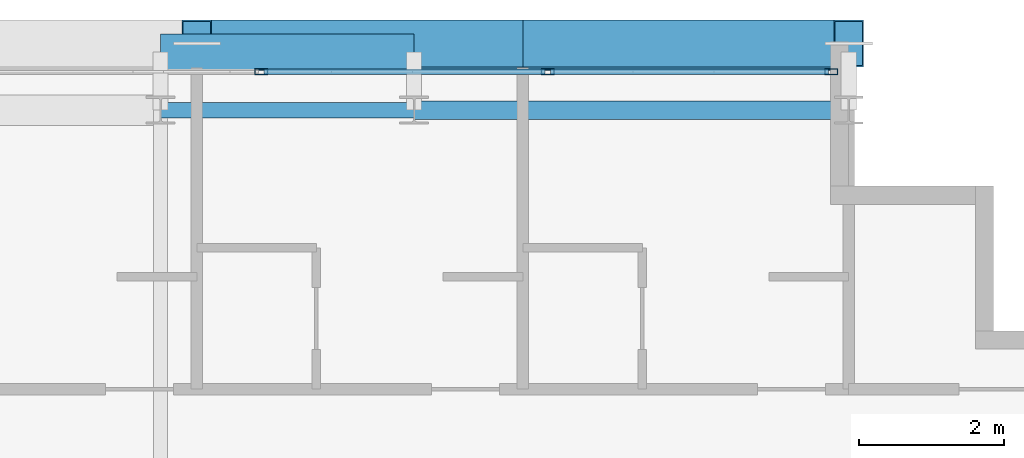
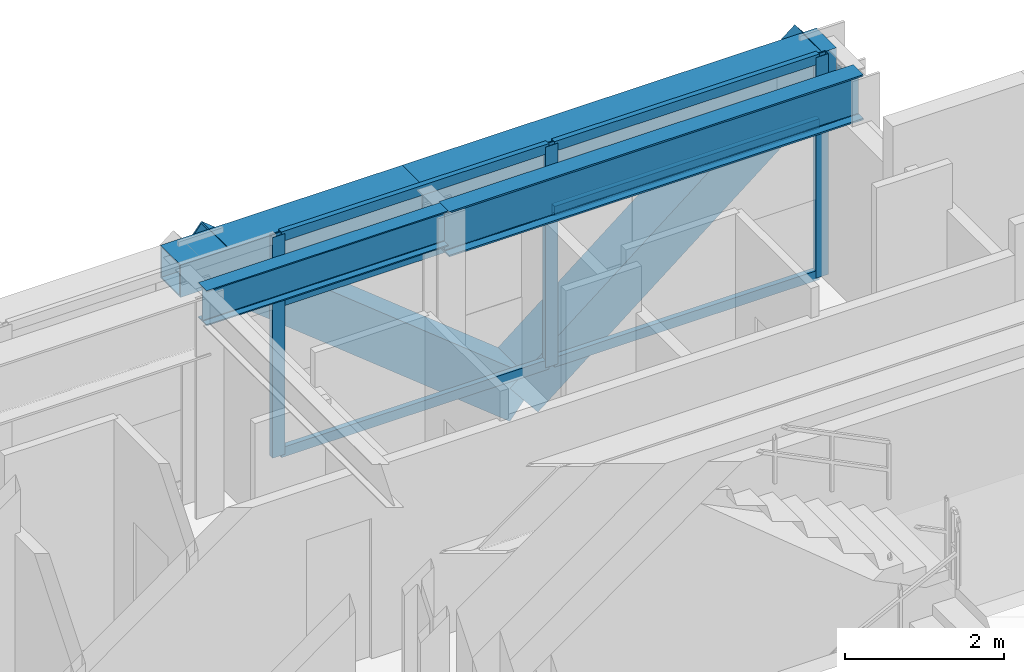
# One storey, part 15 of 28: 11 members, 4 beams, 1 element without a shape of its own.
"""IFC4 building model written with IfcOpenShell, lengths in metres."""

from ifc_helpers import new_model, si_unit, direction, frame, origin, origin_2d, place, context, subcontext, project, spatial, hollow_rectangle, i_section, extrude, source, transform, mapped, material, layer, layer_set, material_profile, profile_set, type_object, element, aggregate, save


model = new_model("IFC4")

# Units and contexts
model_context = context("Model", 3, precision=1e-05, world=origin(), true_north=direction((0.0, 1.0)))
body_context = subcontext(model_context, "Body", "Model", "MODEL_VIEW")
ifc_project = project(units=[si_unit("LENGTHUNIT", "METRE"), si_unit("AREAUNIT", "SQUARE_METRE"), si_unit("VOLUMEUNIT", "CUBIC_METRE"), si_unit("PLANEANGLEUNIT", "RADIAN"), si_unit("MASSUNIT", "GRAM", prefix="KILO")], contexts=[model_context])

# Site, building, storey
site_placement = place(None, origin())
site = spatial("IfcSite", under=ifc_project, at=site_placement, CompositionType="ELEMENT")
building_placement = place(site_placement, origin())
building = spatial("IfcBuilding", under=site, at=building_placement, Name="Ocotamira Hotel", CompositionType="ELEMENT")
storey_placement = place(building_placement, frame((0.0, 0.0, 240.0)))
storey = spatial("IfcBuildingStorey", under=building, at=storey_placement, Name="L60", CompositionType="ELEMENT", Elevation=240.0)

# Beams
ifc_material_1 = material(Name="Steel ASTM A992 Grade 50", Category="steel")
ifc_material_profile_1 = material_profile(ifc_material_1, i_section(OverallWidth=0.256103515625, OverallDepth=0.693115234375, WebThickness=0.014404296875, FlangeThickness=0.023681640625, FilletRadius=0.01611328125, at=origin_2d()), Name="W27X114")
ifc_profile_set_1 = profile_set([ifc_material_profile_1], Name="Steel ASTM A992 Grade 50")
beam_type_1 = type_object("IfcBeamType", Name="BM-PRIM-W27X114", PredefinedType="BEAM", material=ifc_profile_set_1)
shared_shape_1 = source(origin(), body_context, "Body", "SweptSolid", [
    extrude(i_section(OverallWidth=0.256103515625, OverallDepth=0.693115234375, WebThickness=0.014404296875, FlangeThickness=0.023681640625, FilletRadius=0.01611328125, at=origin_2d()), origin(), (0.0, 0.0, 1.0), 6.0),
])
beam_1_placement = place(storey_placement, frame((44.0, 43.050048828125, 3.033447265625), z_axis=(1.0, 0.0, 0.0), x_axis=(0.0, 1.0, 0.0)))
element("IfcBeam", 1, at=beam_1_placement, inside=storey, type_object=beam_type_1, Name="L60 Girder Y43.05 X44-50", PredefinedType="BEAM", context=body_context, shape_type="MappedRepresentation", body=[
    mapped(shared_shape_1, transform((0.0, 0.0, 0.0), scale=1.0)),
])
ifc_material_profile_2 = material_profile(ifc_material_1, i_section(OverallWidth=0.2099609375, OverallDepth=0.537109375, WebThickness=0.010986328125, FlangeThickness=0.017333984375, FilletRadius=0.012939453125, at=origin_2d()), Name="W21X68")
ifc_profile_set_2 = profile_set([ifc_material_profile_2], Name="Steel ASTM A992 Grade 50")
beam_type_2 = type_object("IfcBeamType", Name="BM-SEC-W21X68", PredefinedType="JOIST", material=ifc_profile_set_2)
shared_shape_2 = source(origin(), body_context, "Body", "SweptSolid", [
    extrude(i_section(OverallWidth=0.2099609375, OverallDepth=0.537109375, WebThickness=0.010986328125, FlangeThickness=0.017333984375, FilletRadius=0.012939453125, at=origin_2d()), origin(), (0.0, 0.0, 1.0), 3.5),
])
beam_2_placement = place(storey_placement, frame((40.5, 43.050048828125, 3.111572265625), z_axis=(1.0, 0.0, 0.0), x_axis=(0.0, 1.0, 0.0)))
element("IfcBeam", 2, at=beam_2_placement, inside=storey, type_object=beam_type_2, Name="L60 Girder Y43.05 X40.5-44", PredefinedType="JOIST", context=body_context, shape_type="MappedRepresentation", body=[
    mapped(shared_shape_2, transform((0.0, 0.0, 0.0), scale=1.0)),
])
ifc_material_2 = material(Name="Steel ASTM A500 Grade C", Category="steel")
ifc_material_profile_3 = material_profile(ifc_material_2, hollow_rectangle(XDim=0.5, YDim=0.5, WallThickness=0.02001953125, at=origin_2d()), Name="HSS500X500X20")
ifc_profile_set_3 = profile_set([ifc_material_profile_3], Name="Steel ASTM A500 Grade C")
beam_type_3 = type_object("IfcBeamType", Name="BM-SPAN-HSS500", PredefinedType="USERDEFINED", material=ifc_profile_set_3)
shared_shape_3 = source(origin(), body_context, "Body", "SweptSolid", [
    extrude(hollow_rectangle(XDim=0.5, YDim=0.5, WallThickness=0.02001953125, at=origin_2d()), origin(), (0.0, 0.0, 1.0), 6.0),
])
beam_3_placement = place(storey_placement, frame((44.0, 43.85009765625, 3.1298828125), z_axis=(1.0, 0.0, 0.0), x_axis=(0.0, 1.0, 0.0)))
element("IfcBeam", 3, at=beam_3_placement, inside=storey, type_object=beam_type_3, Name="L60 Edge Spandrel N X44-50", ObjectType="SPANDREL", PredefinedType="USERDEFINED", context=body_context, shape_type="MappedRepresentation", body=[
    mapped(shared_shape_3, transform((0.0, 0.0, 0.0), scale=1.0)),
])
shared_shape_4 = source(origin(), body_context, "Body", "SweptSolid", [
    extrude(hollow_rectangle(XDim=0.5, YDim=0.5, WallThickness=0.02001953125, at=origin_2d()), origin(), (0.0, 0.0, 1.0), 3.5),
])
beam_4_placement = place(storey_placement, frame((40.5, 43.85009765625, 3.1298828125), z_axis=(1.0, 0.0, 0.0), x_axis=(0.0, 1.0, 0.0)))
element("IfcBeam", 4, at=beam_4_placement, inside=storey, type_object=beam_type_3, Name="L60 Edge Spandrel N X40.5-44", ObjectType="SPANDREL", PredefinedType="USERDEFINED", context=body_context, shape_type="MappedRepresentation", body=[
    mapped(shared_shape_4, transform((0.0, 0.0, 0.0), scale=1.0)),
])

# Members
ifc_material_3 = material(Name="Pale-metal coated steel ASTM A913 Grade 65", Category="steel")
ifc_material_profile_4 = material_profile(ifc_material_3, hollow_rectangle(XDim=0.64990234375, YDim=0.64990234375, WallThickness=0.02197265625, at=origin_2d()), Name="BOX650X650X22")
ifc_profile_set_4 = profile_set([ifc_material_profile_4], Name="Pale-metal coated steel ASTM A913 Grade 65")
member_type_1 = type_object("IfcMemberType", Name="MEM-EXO-BOX650", PredefinedType="BRACE", material=ifc_profile_set_4)
shared_shape_5 = source(origin(), body_context, "Body", "SweptSolid", [
    extrude(hollow_rectangle(XDim=0.64990234375, YDim=0.64990234375, WallThickness=0.02197265625, at=origin_2d()), origin(), (0.0, 0.0, 1.0), 5.7626953125),
])
for number, where, z_axis, x_axis, name in (
    (5, (45.5, 43.969970703125, -0.469970703125), (-0.780881208953, 0.0, 0.624679547852), (0.0, -1.0, 0.0), "L60 Exoskeleton Diagrid N3.1"),
    (6, (45.5, 43.969970703125, -0.469970703125), (0.780881208953, 0.0, 0.624679547852), (0.0, 1.0, 0.0), "L60 Exoskeleton Diagrid N3.2"),
):
    element("IfcMember", number, at=place(storey_placement, frame(where, z_axis=z_axis, x_axis=x_axis)), inside=storey, type_object=member_type_1, Name=name, PredefinedType="BRACE", context=body_context, shape_type="MappedRepresentation", body=[
        mapped(shared_shape_5, transform((0.0, 0.0, 0.0), scale=1.0)),
    ])

# Curtain wall, members
ifc_material_4 = material(Name="Anodised pale-metal aluminium and solar glass", Category="aluminium")
ifc_layer = layer(ifc_material_4, 0.239990234375)
ifc_layer_set = layer_set([ifc_layer], Name="Anodised pale-metal aluminium and solar glass")
curtain_wall_type = type_object("IfcCurtainWallType", Name="CW-SYS5-SKY", PredefinedType="NOTDEFINED", material=ifc_layer_set)
curtain_wall_placement = place(storey_placement, origin())
curtain_wall = element("IfcCurtainWall", 7, at=curtain_wall_placement, inside=storey, type_object=curtain_wall_type, Name="L60 Curtain Wall CW-5 CW-L60-N", PredefinedType="NOTDEFINED")
ifc_material_5 = material(Name="Anodised pale-metal aluminium 6063-T6", Category="aluminium")
ifc_material_profile_5 = material_profile(ifc_material_5, hollow_rectangle(XDim=0.074951171875, YDim=0.14990234375, WallThickness=0.006103515625, at=origin_2d()), Name="HSS150X75X6")
ifc_profile_set_5 = profile_set([ifc_material_profile_5], Name="Anodised pale-metal aluminium 6063-T6")
member_type_2 = type_object("IfcMemberType", Name="CWT-150X75", PredefinedType="USERDEFINED", material=ifc_profile_set_5)
shared_shape_6 = source(origin(), body_context, "Body", "SweptSolid", [
    extrude(hollow_rectangle(XDim=0.074951171875, YDim=0.14990234375, WallThickness=0.006103515625, at=origin_2d()), origin(), (0.0, 0.0, 1.0), 3.83544921875),
])
member_1_placement = place(storey_placement, frame((45.884521484375, 43.580078125, 0.03759765625), z_axis=(1.0, 0.0, 0.0), x_axis=(0.0, 1.0, 0.0)))
member_1 = element("IfcMember", 8, at=member_1_placement, type_object=member_type_2, Name="CW-5 transom 9.1", ObjectType="TRANSOM", PredefinedType="USERDEFINED", context=body_context, shape_type="MappedRepresentation", body=[
    mapped(shared_shape_6, transform((0.0, 0.0, 0.0), scale=1.0)),
])
member_2_placement = place(storey_placement, frame((45.884521484375, 43.580078125, 2.35009765625), z_axis=(1.0, 0.0, 0.0), x_axis=(0.0, 1.0, 0.0)))
member_2 = element("IfcMember", 9, at=member_2_placement, type_object=member_type_2, Name="CW-5 transom 9.2", ObjectType="TRANSOM", PredefinedType="USERDEFINED", context=body_context, shape_type="MappedRepresentation", body=[
    mapped(shared_shape_6, transform((0.0, 0.0, 0.0), scale=1.0)),
])
member_3_placement = place(storey_placement, frame((45.884521484375, 43.580078125, 3.342529296875), z_axis=(1.0, 0.0, 0.0), x_axis=(0.0, 1.0, 0.0)))
member_3 = element("IfcMember", 10, at=member_3_placement, type_object=member_type_2, Name="CW-5 transom 9.3", ObjectType="TRANSOM", PredefinedType="USERDEFINED", context=body_context, shape_type="MappedRepresentation", body=[
    mapped(shared_shape_6, transform((0.0, 0.0, 0.0), scale=1.0)),
])
shared_shape_7 = source(origin(), body_context, "Body", "SweptSolid", [
    extrude(hollow_rectangle(XDim=0.074951171875, YDim=0.14990234375, WallThickness=0.006103515625, at=origin_2d()), origin(), (0.0, 0.0, 1.0), 3.87548828125),
])
member_4_placement = place(storey_placement, frame((41.928955078125, 43.580078125, 0.03759765625), z_axis=(1.0, 0.0, 0.0), x_axis=(0.0, 1.0, 0.0)))
member_4 = element("IfcMember", 11, at=member_4_placement, type_object=member_type_2, Name="CW-5 transom 8.1", ObjectType="TRANSOM", PredefinedType="USERDEFINED", context=body_context, shape_type="MappedRepresentation", body=[
    mapped(shared_shape_7, transform((0.0, 0.0, 0.0), scale=1.0)),
])
member_5_placement = place(storey_placement, frame((41.928955078125, 43.580078125, 2.35009765625), z_axis=(1.0, 0.0, 0.0), x_axis=(0.0, 1.0, 0.0)))
member_5 = element("IfcMember", 12, at=member_5_placement, type_object=member_type_2, Name="CW-5 transom 8.2", ObjectType="TRANSOM", PredefinedType="USERDEFINED", context=body_context, shape_type="MappedRepresentation", body=[
    mapped(shared_shape_7, transform((0.0, 0.0, 0.0), scale=1.0)),
])
member_6_placement = place(storey_placement, frame((41.928955078125, 43.580078125, 3.342529296875), z_axis=(1.0, 0.0, 0.0), x_axis=(0.0, 1.0, 0.0)))
member_6 = element("IfcMember", 13, at=member_6_placement, type_object=member_type_2, Name="CW-5 transom 8.3", ObjectType="TRANSOM", PredefinedType="USERDEFINED", context=body_context, shape_type="MappedRepresentation", body=[
    mapped(shared_shape_7, transform((0.0, 0.0, 0.0), scale=1.0)),
])
ifc_material_profile_6 = material_profile(ifc_material_5, hollow_rectangle(XDim=0.080078125, YDim=0.179931640625, WallThickness=0.006103515625, at=origin_2d()), Name="HSS180X80X6")
ifc_profile_set_6 = profile_set([ifc_material_profile_6], Name="Anodised pale-metal aluminium 6063-T6")
member_type_3 = type_object("IfcMemberType", Name="CWM-180X75", PredefinedType="MULLION", material=ifc_profile_set_6)
shared_shape_8 = source(origin(), body_context, "Body", "SweptSolid", [
    extrude(hollow_rectangle(XDim=0.080078125, YDim=0.179931640625, WallThickness=0.006103515625, at=origin_2d()), origin(), (0.0, 0.0, 1.0), 3.3798828125),
])
member_7_placement = place(storey_placement, frame((41.888916015625, 43.580078125, 0.0), z_axis=(0.0, 0.0, 1.0), x_axis=(0.0, 1.0, 0.0)))
member_7 = element("IfcMember", 14, at=member_7_placement, type_object=member_type_3, Name="CW-5 mullion 8", PredefinedType="MULLION", context=body_context, shape_type="MappedRepresentation", body=[
    mapped(shared_shape_8, transform((0.0, 0.0, 0.0), scale=1.0)),
])
member_8_placement = place(storey_placement, frame((45.844482421875, 43.580078125, 0.0), z_axis=(0.0, 0.0, 1.0), x_axis=(0.0, 1.0, 0.0)))
member_8 = element("IfcMember", 15, at=member_8_placement, type_object=member_type_3, Name="CW-5 mullion 9", PredefinedType="MULLION", context=body_context, shape_type="MappedRepresentation", body=[
    mapped(shared_shape_8, transform((0.0, 0.0, 0.0), scale=1.0)),
])
member_9_placement = place(storey_placement, frame((49.760009765625, 43.580078125, 0.0), z_axis=(0.0, 0.0, 1.0), x_axis=(0.0, 1.0, 0.0)))
member_9 = element("IfcMember", 16, at=member_9_placement, type_object=member_type_3, Name="CW-5 mullion 10", PredefinedType="MULLION", context=body_context, shape_type="MappedRepresentation", body=[
    mapped(shared_shape_8, transform((0.0, 0.0, 0.0), scale=1.0)),
])
aggregate(curtain_wall, [member_7, member_8, member_9, member_4, member_5, member_6, member_1, member_2, member_3])

save(model, "model.ifc")
